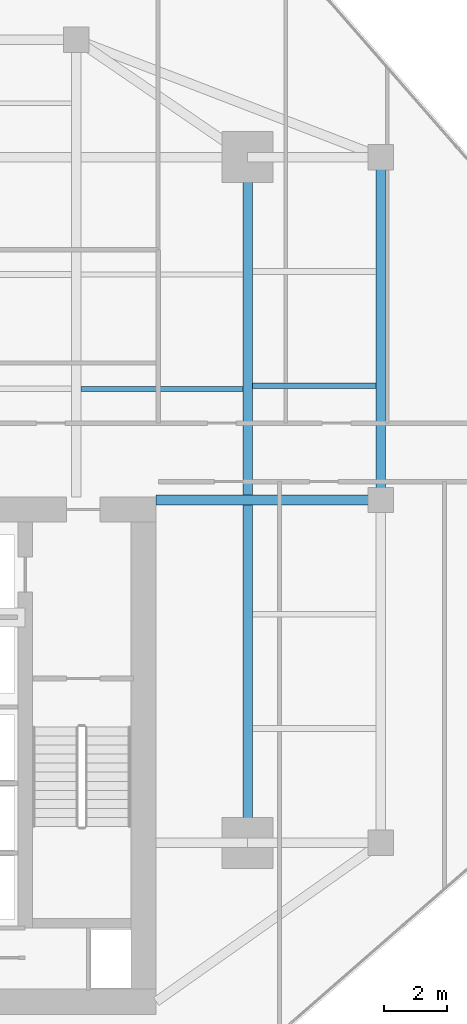
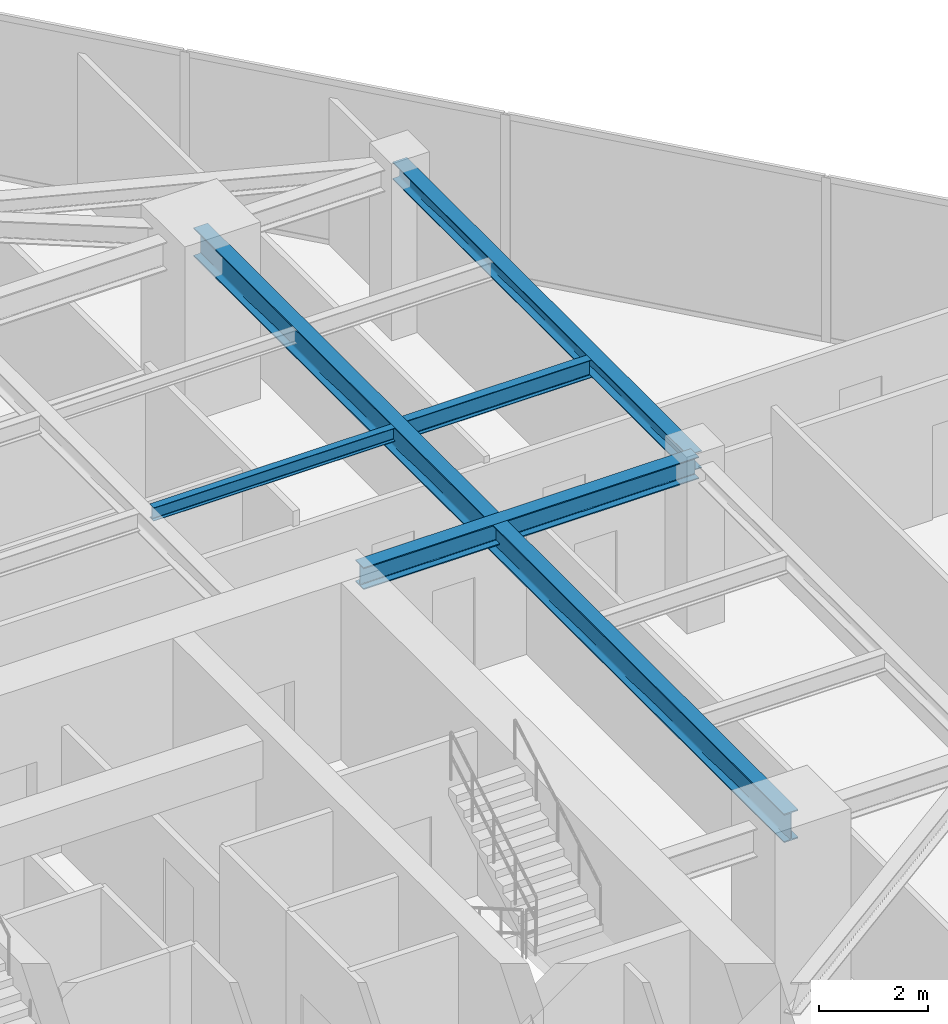
# One storey, part 11 of 24: 5 beams.
"""IFC4 building model written with IfcOpenShell, lengths in metres."""

from ifc_helpers import new_model, si_unit, direction, frame, origin, origin_2d, place, context, subcontext, project, spatial, i_section, extrude, source, transform, mapped, material, material_profile, profile_set, type_object, type_shapes, element, save


model = new_model("IFC4")

# Units and contexts
model_context = context("Model", 3, precision=1e-05, world=origin(), true_north=direction((0.0, 1.0)))
body_context = subcontext(model_context, "Body", "Model", "MODEL_VIEW")
ifc_project = project(units=[si_unit("LENGTHUNIT", "METRE"), si_unit("AREAUNIT", "SQUARE_METRE"), si_unit("VOLUMEUNIT", "CUBIC_METRE"), si_unit("PLANEANGLEUNIT", "RADIAN"), si_unit("MASSUNIT", "GRAM", prefix="KILO")], contexts=[model_context])

# Site, building, storey
site_placement = place(None, origin())
site = spatial("IfcSite", under=ifc_project, at=site_placement, CompositionType="ELEMENT")
building_placement = place(site_placement, origin())
building = spatial("IfcBuilding", under=site, at=building_placement, Name="Krantzveldt Concourse Tower", CompositionType="ELEMENT")
storey_placement = place(building_placement, frame((0.0, 0.0, 254.699951171875)))
storey = spatial("IfcBuildingStorey", under=building, at=storey_placement, Name="L62", CompositionType="ELEMENT", Elevation=254.699951171875)

# Beams
ifc_material = material(Name="Steel S355JR", Category="steel")
ifc_material_profile_1 = material_profile(ifc_material, i_section(OverallWidth=0.300048828125, OverallDepth=0.639892578125, WebThickness=0.013427734375, FlangeThickness=0.02587890625, FilletRadius=0.027099609375, at=origin_2d()), Name="Steel S355JR", Category="steel")
ifc_profile_set_1 = profile_set([ifc_material_profile_1], Name="Steel S355JR - HEA 650")
beam_type_1 = type_object("IfcBeamType", Name="BM-B-HEA650", PredefinedType="BEAM", material=ifc_profile_set_1)
shared_shape_1 = source(origin(), body_context, "Body", "SweptSolid", [
    extrude(i_section(OverallWidth=0.300048828125, OverallDepth=0.639892578125, WebThickness=0.013427734375, FlangeThickness=0.02587890625, FilletRadius=0.027099609375, at=origin_2d()), origin(), (0.0, 0.0, 1.0), 21.60009765625),
])
type_shapes(beam_type_1, [shared_shape_1])
beam_1_placement = place(storey_placement, frame((46.800048828125, 15.89990234375, 3.35009765625), z_axis=(0.0, 1.0, 0.0), x_axis=(-1.0, 0.0, 0.0)))
element("IfcBeam", 1, at=beam_1_placement, inside=storey, type_object=beam_type_1, Name="L62 Tower Girder BG-ME", PredefinedType="BEAM", context=body_context, shape_type="MappedRepresentation", body=[
    mapped(shared_shape_1, transform((0.0, 0.0, 0.0), x_axis=(1.0, 0.0, 0.0), y_axis=(0.0, 1.0, 0.0), z_axis=(0.0, 0.0, 1.0), scale=1.0)),
])
ifc_material_profile_2 = material_profile(ifc_material, i_section(OverallWidth=0.300048828125, OverallDepth=0.389892578125, WebThickness=0.010986328125, FlangeThickness=0.01904296875, FilletRadius=0.027099609375, at=origin_2d()), Name="Steel S355JR", Category="steel")
ifc_profile_set_2 = profile_set([ifc_material_profile_2], Name="Steel S355JR - HEA 400")
beam_type_2 = type_object("IfcBeamType", Name="BM-SP-HEA400", PredefinedType="SPANDREL", material=ifc_profile_set_2)
shared_shape_2 = source(origin(), body_context, "Body", "SweptSolid", [
    extrude(i_section(OverallWidth=0.300048828125, OverallDepth=0.389892578125, WebThickness=0.010986328125, FlangeThickness=0.01904296875, FilletRadius=0.027099609375, at=origin_2d()), origin(), (0.0, 0.0, 1.0), 10.800048828125),
])
type_shapes(beam_type_2, [shared_shape_2])
beam_2_placement = place(storey_placement, frame((51.0, 37.5, 3.47509765625), z_axis=(0.0, -1.0, 0.0), x_axis=(1.0, 0.0, 0.0)))
element("IfcBeam", 2, at=beam_2_placement, inside=storey, type_object=beam_type_2, Name="L62 Tower Girder SP-R06", PredefinedType="SPANDREL", context=body_context, shape_type="MappedRepresentation", body=[
    mapped(shared_shape_2, transform((0.0, 0.0, 0.0), x_axis=(1.0, 0.0, 0.0), y_axis=(0.0, 1.0, 0.0), z_axis=(0.0, 0.0, 1.0), scale=1.0)),
])
ifc_material_profile_3 = material_profile(ifc_material, i_section(OverallWidth=0.300048828125, OverallDepth=0.489990234375, WebThickness=0.011962890625, FlangeThickness=0.02294921875, FilletRadius=0.027099609375, at=origin_2d()), Name="Steel S355JR", Category="steel")
ifc_profile_set_3 = profile_set([ifc_material_profile_3], Name="Steel S355JR - HEA 500")
beam_type_3 = type_object("IfcBeamType", Name="BM-B-HEA500", PredefinedType="BEAM", material=ifc_profile_set_3)
shared_shape_3 = source(origin(), body_context, "Body", "SweptSolid", [
    extrude(i_section(OverallWidth=0.300048828125, OverallDepth=0.489990234375, WebThickness=0.011962890625, FlangeThickness=0.02294921875, FilletRadius=0.027099609375, at=origin_2d()), origin(), (0.0, 0.0, 1.0), 7.080078125),
])
type_shapes(beam_type_3, [shared_shape_3])
beam_3_placement = place(storey_placement, frame((43.919921875, 26.699951171875, 3.425048828125), z_axis=(1.0, 0.0, 0.0), x_axis=(0.0, 1.0, 0.0)))
element("IfcBeam", 3, at=beam_3_placement, inside=storey, type_object=beam_type_3, Name="L62 Tower Girder BG-CE2", PredefinedType="BEAM", context=body_context, shape_type="MappedRepresentation", body=[
    mapped(shared_shape_3, transform((0.0, 0.0, 0.0), x_axis=(1.0, 0.0, 0.0), y_axis=(0.0, 1.0, 0.0), z_axis=(0.0, 0.0, 1.0), scale=1.0)),
])
ifc_material_profile_4 = material_profile(ifc_material, i_section(OverallWidth=0.14990234375, OverallDepth=0.300048828125, WebThickness=0.007080078125, FlangeThickness=0.0107421875, FilletRadius=0.014892578125, at=origin_2d()), Name="Steel S355JR", Category="steel")
ifc_profile_set_4 = profile_set([ifc_material_profile_4], Name="Steel S355JR - IPE 300")
beam_type_4 = type_object("IfcBeamType", Name="BM-J-IPE300", PredefinedType="JOIST", material=ifc_profile_set_4)
shared_shape_4 = source(origin(), body_context, "Body", "SweptSolid", [
    extrude(i_section(OverallWidth=0.14990234375, OverallDepth=0.300048828125, WebThickness=0.007080078125, FlangeThickness=0.0107421875, FilletRadius=0.014892578125, at=origin_2d()), origin(), (0.0, 0.0, 1.0), 5.099853515625),
])
type_shapes(beam_type_4, [shared_shape_4])
beam_4_placement = place(storey_placement, frame((41.550048828125, 30.199951171875, 3.52001953125), z_axis=(1.0, 0.0, 0.0), x_axis=(0.0, 1.0, 0.0)))
element("IfcBeam", 4, at=beam_4_placement, inside=storey, type_object=beam_type_4, Name="L62 Secondary Floor Joist JN-E1", PredefinedType="JOIST", context=body_context, shape_type="MappedRepresentation", body=[
    mapped(shared_shape_4, transform((0.0, 0.0, 0.0), x_axis=(1.0, 0.0, 0.0), y_axis=(0.0, 1.0, 0.0), z_axis=(0.0, 0.0, 1.0), scale=1.0)),
])
ifc_material_profile_5 = material_profile(ifc_material, i_section(OverallWidth=0.179931640625, OverallDepth=0.39990234375, WebThickness=0.008544921875, FlangeThickness=0.013427734375, FilletRadius=0.02099609375, at=origin_2d()), Name="Steel S355JR", Category="steel")
ifc_profile_set_5 = profile_set([ifc_material_profile_5], Name="Steel S355JR - IPE 400")
beam_type_5 = type_object("IfcBeamType", Name="BM-J-IPE400", PredefinedType="JOIST", material=ifc_profile_set_5)
shared_shape_5 = source(origin(), body_context, "Body", "SweptSolid", [
    extrude(i_section(OverallWidth=0.179931640625, OverallDepth=0.39990234375, WebThickness=0.008544921875, FlangeThickness=0.013427734375, FilletRadius=0.02099609375, at=origin_2d()), origin(), (0.0, 0.0, 1.0), 3.900146484375),
])
type_shapes(beam_type_5, [shared_shape_5])
beam_5_placement = place(storey_placement, frame((46.949951171875, 30.300048828125, 3.469970703125), z_axis=(1.0, 0.0, 0.0), x_axis=(0.0, 1.0, 0.0)))
element("IfcBeam", 5, at=beam_5_placement, inside=storey, type_object=beam_type_5, Name="L62 Secondary Floor Joist JE-3", PredefinedType="JOIST", context=body_context, shape_type="MappedRepresentation", body=[
    mapped(shared_shape_5, transform((0.0, 0.0, 0.0), x_axis=(1.0, 0.0, 0.0), y_axis=(0.0, 1.0, 0.0), z_axis=(0.0, 0.0, 1.0), scale=1.0)),
])

save(model, "model.ifc")
